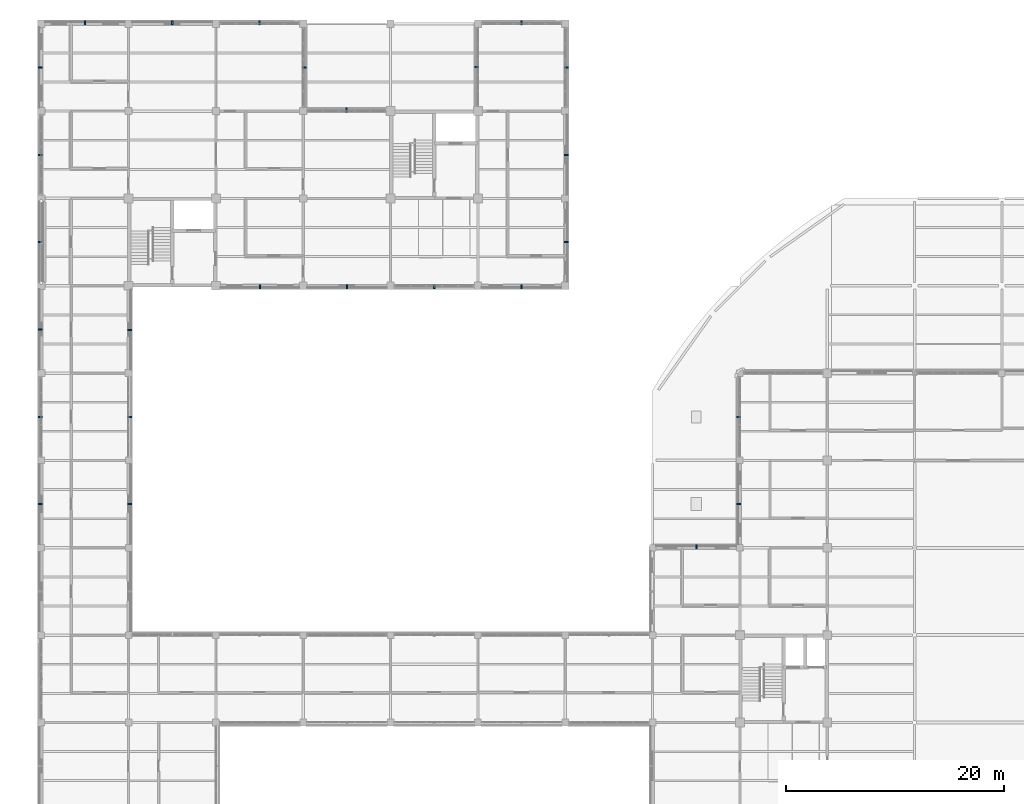
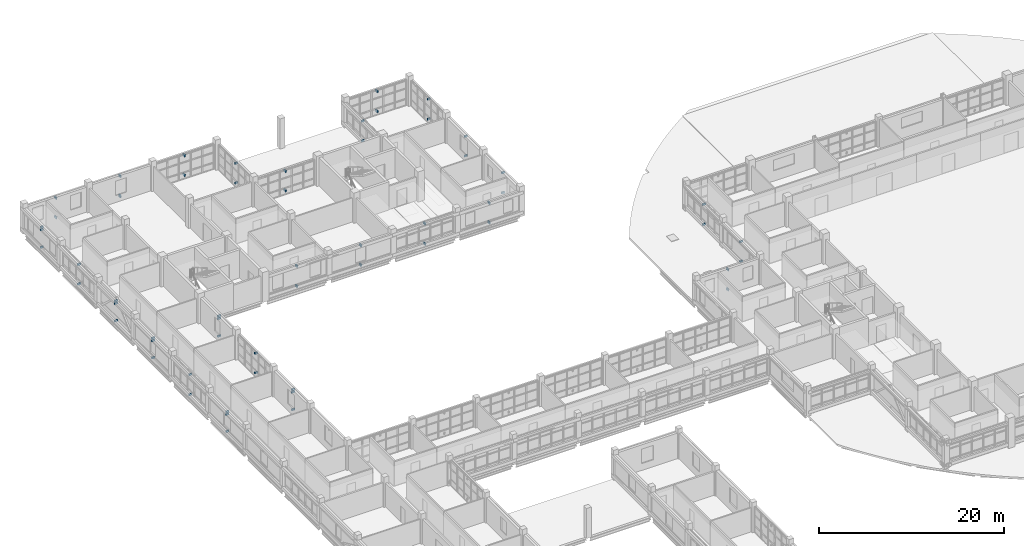
# One storey, part 109 of 126: 58 discrete accessories.
"""IFC4 building model written with IfcOpenShell, lengths in metres."""

import ifcopenshell
import ifcopenshell.guid

model = None  # the IFC model being written
_history = None  # IfcOwnerHistory: only IFC2X3 demands one
_inside = {}  # id of a spatial element -> (the spatial element, [elements in it])
_under = {}  # id of a project, library or spatial element -> (it, [spatial elements below it])
_declared = {}  # id of a project -> (the project, [libraries it declares])
_typed = {}  # id of a type object -> (the type object, [elements of that type])
_made_of = {}  # id of a material, layer set ... -> (it, [elements and type objects made of it])


def new_model(schema):
    """Start an empty IFC model of exactly this schema.

    Asked for "IFC4X3", IfcOpenShell would pick the latest addendum, in which some entities
    have other attributes; the version numbers below select the first issue.
    IFC2X3 requires an IfcOwnerHistory on every rooted entity: one is made here for all.
    """
    global model, _history
    if schema == "IFC4X3":
        model = ifcopenshell.file(schema_version=(4, 3, 0, 0))
    else:
        model = ifcopenshell.file(schema=schema)
    _inside.clear()
    _under.clear()
    _declared.clear()
    _typed.clear()
    _made_of.clear()
    _history = None
    if model.schema == "IFC2X3":
        org = make("IfcOrganization", Name="unknown")
        user = make(
            "IfcPersonAndOrganization",
            ThePerson=make("IfcPerson", FamilyName="unknown"),
            TheOrganization=org,
        )
        app = make(
            "IfcApplication",
            ApplicationDeveloper=org,
            Version="unknown",
            ApplicationFullName="unknown",
            ApplicationIdentifier="unknown",
        )
        _history = make(
            "IfcOwnerHistory",
            OwningUser=user,
            OwningApplication=app,
            ChangeAction="ADDED",
            CreationDate=0,
        )
    return model


def make(cls, **values):
    """One entity of the class cls with the attributes given. An attribute that is None is left unset."""
    return model.create_entity(
        cls, **{name: value for name, value in values.items() if value is not None}
    )


def rooted(cls, **values):
    """An entity with a GlobalId (a new one), such as an element, a storey or a relation."""
    return make(cls, GlobalId=ifcopenshell.guid.new(), OwnerHistory=_history, **values)


def si_unit(unit_type, name, prefix=None):
    """IfcSIUnit, for example si_unit("LENGTHUNIT", "METRE", prefix="MILLI")."""
    return make("IfcSIUnit", UnitType=unit_type, Prefix=prefix, Name=name)


def derived_unit(unit_type, elements):
    """IfcDerivedUnit: a product of units, each with its exponent."""
    return make(
        "IfcDerivedUnit",
        Elements=[
            make("IfcDerivedUnitElement", Unit=unit, Exponent=power)
            for unit, power in elements
        ],
        UnitType=unit_type,
    )


def assignment(units):
    """IfcUnitAssignment: the units of a project."""
    return None if units is None else make("IfcUnitAssignment", Units=units)


def point(xyz):
    """IfcCartesianPoint."""
    return None if xyz is None else make("IfcCartesianPoint", Coordinates=xyz)


def direction(xyz):
    """IfcDirection."""
    return None if xyz is None else make("IfcDirection", DirectionRatios=xyz)


def frame(location, z_axis=None, x_axis=None):
    """IfcAxis2Placement3D, a coordinate frame: its origin and axes. An axis left out is left unset."""
    return make(
        "IfcAxis2Placement3D",
        Location=point(location),
        Axis=direction(z_axis),
        RefDirection=direction(x_axis),
    )


def frame_2d(location, x_axis=None):
    """IfcAxis2Placement2D, a coordinate frame in the plane: its origin and x axis."""
    return make(
        "IfcAxis2Placement2D", Location=point(location), RefDirection=direction(x_axis)
    )


def origin():
    """The frame at (0, 0, 0) with its axes left unset."""
    return frame((0.0, 0.0, 0.0))


def origin_2d():
    """The frame at (0, 0) in the plane with its x axis left unset."""
    return frame_2d((0.0, 0.0))


def place(relative_to, where):
    """IfcLocalPlacement: puts the frame where relative to a parent placement (None: the world)."""
    return make(
        "IfcLocalPlacement", PlacementRelTo=relative_to, RelativePlacement=where
    )


def context(
    kind, dimensions, precision=None, world=None, true_north=None, identifier=None
):
    """IfcGeometricRepresentationContext, for example the 3D "Model" context."""
    return make(
        "IfcGeometricRepresentationContext",
        ContextIdentifier=identifier,
        ContextType=kind,
        CoordinateSpaceDimension=dimensions,
        Precision=precision,
        WorldCoordinateSystem=world,
        TrueNorth=true_north,
    )


def subcontext(parent, identifier, kind, view, scale=None):
    """IfcGeometricRepresentationSubContext, for example "Body" below "Model"."""
    return make(
        "IfcGeometricRepresentationSubContext",
        ContextIdentifier=identifier,
        ContextType=kind,
        ParentContext=parent,
        TargetScale=scale,
        TargetView=view,
    )


def project(units=None, contexts=None):
    """IfcProject with its units and contexts."""
    return rooted(
        "IfcProject",
        Name="project",
        RepresentationContexts=contexts,
        UnitsInContext=assignment(units),
    )


def spatial(cls, under=None, at=None, **own):
    """A site, building, storey or space (cls), placed at a placement, below another one or the project."""
    s = rooted(cls, ObjectPlacement=at, **own)
    if under is not None:
        _under.setdefault(under.id(), (under, []))[1].append(s)
    return s


def profile(cls, at=None, kind="AREA", **sizes):
    """A parametric profile (cls). Its sizes go by their IFC names, for example OverallWidth=200.0."""
    return make(cls, ProfileType=kind, Position=at, **sizes)


def rectangle(**sizes):
    """IfcRectangleProfileDef."""
    return profile("IfcRectangleProfileDef", **sizes)


def extrude(swept, where, along, depth):
    """IfcExtrudedAreaSolid: the profile swept, set in the frame where, extruded along a direction by depth."""
    return make(
        "IfcExtrudedAreaSolid",
        SweptArea=swept,
        Position=where,
        ExtrudedDirection=direction(along),
        Depth=depth,
    )


def shape(context_of_items, identifier, shape_type, items):
    """IfcShapeRepresentation: the items that make up one representation, for example the "Body"."""
    return make(
        "IfcShapeRepresentation",
        ContextOfItems=context_of_items,
        RepresentationIdentifier=identifier,
        RepresentationType=shape_type,
        Items=items,
    )


def material(Name=None, Category=None):
    """IfcMaterial."""
    return make("IfcMaterial", Name=Name, Category=Category)


def made_of(thing, what):
    """Note that an element or type object is made of a material, layer set ...; save() writes the relation."""
    if what is not None:
        _made_of.setdefault(what.id(), (what, []))[1].append(thing)
    return thing


def type_object(cls, material=None, **own):
    """A type object (cls), such as IfcWallType, which elements share."""
    return made_of(rooted(cls, **own), material)


def element(
    cls,
    number,
    at=None,
    inside=None,
    cuts=None,
    type_object=None,
    material=None,
    context=None,
    identifier="Body",
    shape_type=None,
    held_by="IfcProductDefinitionShape",
    body=None,
    shapes=None,
    **own,
):
    """One element of the class cls, such as IfcWall. Its Tag is "e" and its number.

    at: its placement. inside: the storey or other place that contains it. cuts: it is an
    opening in that element (IfcRelVoidsElement). A single representation is given by context,
    identifier, shape_type and body (its items); several are given by shapes. held_by: the class
    of the entity that holds the representations. save() writes the other relations.
    """
    e = rooted(cls, Tag="e%d" % number, ObjectPlacement=at, **own)
    if body is not None:
        shapes = [shape(context, identifier, shape_type, body)]
    if shapes is not None:
        e.Representation = make(held_by, Representations=shapes)
    if inside is not None:
        _inside.setdefault(inside.id(), (inside, []))[1].append(e)
    if cuts is not None:
        rooted(
            "IfcRelVoidsElement", RelatingBuildingElement=cuts, RelatedOpeningElement=e
        )
    if type_object is not None:
        _typed.setdefault(type_object.id(), (type_object, []))[1].append(e)
    return made_of(e, material)


def aggregate(whole, parts):
    """IfcRelAggregates: a whole, such as a stair, and the parts it consists of."""
    return rooted("IfcRelAggregates", RelatingObject=whole, RelatedObjects=parts)


def save(model, path):
    """Write the relations noted so far, then the file.

    IfcRelAggregates (storeys below a building ...), IfcRelContainedInSpatialStructure (elements
    in a storey), IfcRelDefinesByType, IfcRelAssociatesMaterial and IfcRelDeclares: one each for
    every whole, place, type object, material and project.
    """
    for whole, parts in _under.values():
        aggregate(whole, parts)
    for where, things in _inside.values():
        rooted(
            "IfcRelContainedInSpatialStructure",
            RelatedElements=things,
            RelatingStructure=where,
        )
    for kind, things in _typed.values():
        rooted("IfcRelDefinesByType", RelatedObjects=things, RelatingType=kind)
    for what, things in _made_of.values():
        rooted("IfcRelAssociatesMaterial", RelatedObjects=things, RelatingMaterial=what)
    for by, libraries in _declared.values():
        rooted("IfcRelDeclares", RelatingContext=by, RelatedDefinitions=libraries)
    model.write(path)


model = new_model("IFC4")

# Units and contexts
model_context = context("Model", 3, precision=1e-05, world=origin(), true_north=direction((0.0, 1.0)))
body_context = subcontext(model_context, "Body", "Model", "MODEL_VIEW")
ifc_project = project(units=[si_unit("LENGTHUNIT", "METRE"), si_unit("AREAUNIT", "SQUARE_METRE"), si_unit("VOLUMEUNIT", "CUBIC_METRE"), si_unit("PLANEANGLEUNIT", "RADIAN"), si_unit("MASSUNIT", "GRAM", prefix="KILO"), derived_unit("THERMALTRANSMITTANCEUNIT", [(si_unit("MASSUNIT", "GRAM", prefix="KILO"), 1), (si_unit("TIMEUNIT", "SECOND"), -3), (si_unit("THERMODYNAMICTEMPERATUREUNIT", "KELVIN"), -1)])], contexts=[model_context])

# Site, building, storey
site_placement = place(None, origin())
site = spatial("IfcSite", under=ifc_project, at=site_placement, CompositionType="ELEMENT")
building_placement = place(site_placement, origin())
building = spatial("IfcBuilding", under=site, at=building_placement, Name="Veyamyaing Civic Hall", CompositionType="ELEMENT")
storey_placement = place(building_placement, frame((0.0, 0.0, 9.89990234375)))
storey = spatial("IfcBuildingStorey", under=building, at=storey_placement, Name="L02", CompositionType="ELEMENT", Elevation=9.89990234375)

# Discrete accessories
ifc_material = material(Name="Steel S355J2", Category="steel")
discrete_accessory_type = type_object("IfcDiscreteAccessoryType", Name="BK-01", PredefinedType="BRACKET", material=ifc_material)
for number, where, z_axis, x_axis, name in (
    (1, (-0.10009765625, 68.0, 2.9443359375), (0.0, 0.0, 1.0), (-1.0, 0.0, 0.0), "Sunshade anchor bracket BK-01 L02 W 1.9"),
    (2, (-0.10009765625, 68.0, 0.35986328125), (0.0, 0.0, 1.0), (-1.0, 0.0, 0.0), "Lower ribbon anchor bracket BK-01 L02 W 1.9"),
    (3, (-0.10009765625, 68.0, 2.6142578125), (0.0, 0.0, 1.0), (-1.0, 0.0, 0.0), "Louvre anchor bracket BK-01 L02 W 1.9"),
    (4, (8.10009765625, 68.0, 3.00732421875), (0.0, 0.0, 1.0), (1.0, 0.0, 0.0), "Sunshade anchor bracket BK-01 L02 E 1.9"),
    (5, (8.10009765625, 68.0, 0.35986328125), (0.0, 0.0, 1.0), (1.0, 0.0, 0.0), "Lower ribbon anchor bracket BK-01 L02 E 1.9"),
    (6, (8.10009765625, 68.0, 2.67724609375), (0.0, 0.0, 1.0), (1.0, 0.0, 0.0), "Louvre anchor bracket BK-01 L02 E 1.9"),
    (7, (-0.10009765625, 75.987548828125, 3.00732421875), (0.0, 0.0, 1.0), (-1.0, 0.0, 0.0), "Sunshade anchor bracket BK-01 L02 W 1.10"),
    (8, (-0.10009765625, 75.987548828125, 0.35986328125), (0.0, 0.0, 1.0), (-1.0, 0.0, 0.0), "Lower ribbon anchor bracket BK-01 L02 W 1.10"),
    (9, (8.10009765625, 75.987548828125, 2.93994140625), (0.0, 0.0, 1.0), (1.0, 0.0, 0.0), "Sunshade anchor bracket BK-01 L02 E 1.10"),
    (10, (8.10009765625, 75.987548828125, 0.35986328125), (0.0, 0.0, 1.0), (1.0, 0.0, 0.0), "Lower ribbon anchor bracket BK-01 L02 E 1.10"),
    (11, (-0.10009765625, 84.0, 2.93994140625), (0.0, 0.0, 1.0), (-1.0, 0.0, 0.0), "Sunshade anchor bracket BK-01 L02 W 1.11"),
    (12, (-0.10009765625, 84.0, 0.35986328125), (0.0, 0.0, 1.0), (-1.0, 0.0, 0.0), "Lower ribbon anchor bracket BK-01 L02 W 1.11"),
    (13, (-0.10009765625, 84.0, 2.60986328125), (0.0, 0.0, 1.0), (-1.0, 0.0, 0.0), "Louvre anchor bracket BK-01 L02 W 1.11"),
    (14, (8.10009765625, 83.96240234375, 3.00390625), (0.0, 0.0, 1.0), (1.0, 0.0, 0.0), "Sunshade anchor bracket BK-01 L02 E 1.11"),
    (15, (8.10009765625, 83.96240234375, 0.35986328125), (0.0, 0.0, 1.0), (1.0, 0.0, 0.0), "Lower ribbon anchor bracket BK-01 L02 E 1.11"),
    (16, (8.10009765625, 83.96240234375, 2.67431640625), (0.0, 0.0, 1.0), (1.0, 0.0, 0.0), "Louvre anchor bracket BK-01 L02 E 1.11"),
    (17, (-0.10009765625, 92.0, 3.00390625), (0.0, 0.0, 1.0), (-1.0, 0.0, 0.0), "Sunshade anchor bracket BK-01 L02 W 1.12"),
    (18, (-0.10009765625, 92.0, 0.35986328125), (0.0, 0.0, 1.0), (-1.0, 0.0, 0.0), "Lower ribbon anchor bracket BK-01 L02 W 1.12"),
    (19, (-0.10009765625, 92.0, 2.67431640625), (0.0, 0.0, 1.0), (-1.0, 0.0, 0.0), "Louvre anchor bracket BK-01 L02 W 1.12"),
    (20, (-0.10009765625, 100.0, 2.9443359375), (0.0, 0.0, 1.0), (-1.0, 0.0, 0.0), "Sunshade anchor bracket BK-01 L02 W 1.13"),
    (21, (-0.10009765625, 100.0, 0.35986328125), (0.0, 0.0, 1.0), (-1.0, 0.0, 0.0), "Lower ribbon anchor bracket BK-01 L02 W 1.13"),
    (22, (4.0, 112.10009765625, 2.93994140625), (0.0, 0.0, 1.0), (0.0, 1.0, 0.0), "Sunshade anchor bracket BK-01 L02 N 1.14"),
    (23, (4.0, 112.10009765625, 0.35986328125), (0.0, 0.0, 1.0), (0.0, 1.0, 0.0), "Lower ribbon anchor bracket BK-01 L02 N 1.14"),
    (24, (-0.10009765625, 108.0, 3.00732421875), (0.0, 0.0, 1.0), (-1.0, 0.0, 0.0), "Sunshade anchor bracket BK-01 L02 W 1.14"),
    (25, (-0.10009765625, 108.0, 0.35986328125), (0.0, 0.0, 1.0), (-1.0, 0.0, 0.0), "Lower ribbon anchor bracket BK-01 L02 W 1.14"),
    (26, (-0.10009765625, 108.0, 2.67724609375), (0.0, 0.0, 1.0), (-1.0, 0.0, 0.0), "Louvre anchor bracket BK-01 L02 W 1.14"),
    (27, (12.0, 112.10009765625, 3.00390625), (0.0, 0.0, 1.0), (0.0, 1.0, 0.0), "Sunshade anchor bracket BK-01 L02 N 2.14"),
    (28, (12.0, 112.10009765625, 0.35986328125), (0.0, 0.0, 1.0), (0.0, 1.0, 0.0), "Lower ribbon anchor bracket BK-01 L02 N 2.14"),
    (29, (20.03759765625, 87.89990234375, 3.00732421875), (0.0, 0.0, 1.0), (0.0, -1.0, 0.0), "Sunshade anchor bracket BK-01 L02 S 3.12"),
    (30, (20.03759765625, 87.89990234375, 0.35986328125), (0.0, 0.0, 1.0), (0.0, -1.0, 0.0), "Lower ribbon anchor bracket BK-01 L02 S 3.12"),
    (31, (20.0, 112.10009765625, 2.9443359375), (0.0, 0.0, 1.0), (0.0, 1.0, 0.0), "Sunshade anchor bracket BK-01 L02 N 3.14"),
    (32, (20.0, 112.10009765625, 0.35986328125), (0.0, 0.0, 1.0), (0.0, 1.0, 0.0), "Lower ribbon anchor bracket BK-01 L02 N 3.14"),
    (33, (24.10009765625, 108.0, 2.9443359375), (0.0, 0.0, 1.0), (1.0, 0.0, 0.0), "Sunshade anchor bracket BK-01 L02 E 3.14"),
    (34, (24.10009765625, 108.0, 0.35986328125), (0.0, 0.0, 1.0), (1.0, 0.0, 0.0), "Lower ribbon anchor bracket BK-01 L02 E 3.14"),
    (35, (28.0, 87.89990234375, 2.93994140625), (0.0, 0.0, 1.0), (0.0, -1.0, 0.0), "Sunshade anchor bracket BK-01 L02 S 4.12"),
    (36, (28.0, 87.89990234375, 0.35986328125), (0.0, 0.0, 1.0), (0.0, -1.0, 0.0), "Lower ribbon anchor bracket BK-01 L02 S 4.12"),
    (37, (27.96240234375, 104.10009765625, 2.9443359375), (0.0, 0.0, 1.0), (0.0, 1.0, 0.0), "Sunshade anchor bracket BK-01 L02 N 4.13"),
    (38, (27.96240234375, 104.10009765625, 0.35986328125), (0.0, 0.0, 1.0), (0.0, 1.0, 0.0), "Lower ribbon anchor bracket BK-01 L02 N 4.13"),
    (39, (36.0, 87.89990234375, 3.00390625), (0.0, 0.0, 1.0), (0.0, -1.0, 0.0), "Sunshade anchor bracket BK-01 L02 S 5.12"),
    (40, (36.0, 87.89990234375, 0.35986328125), (0.0, 0.0, 1.0), (0.0, -1.0, 0.0), "Lower ribbon anchor bracket BK-01 L02 S 5.12"),
    (41, (44.0, 87.89990234375, 2.9443359375), (0.0, 0.0, 1.0), (0.0, -1.0, 0.0), "Sunshade anchor bracket BK-01 L02 S 6.12"),
    (42, (44.0, 87.89990234375, 0.35986328125), (0.0, 0.0, 1.0), (0.0, -1.0, 0.0), "Lower ribbon anchor bracket BK-01 L02 S 6.12"),
    (43, (48.10009765625, 92.0, 3.00732421875), (0.0, 0.0, 1.0), (1.0, 0.0, 0.0), "Sunshade anchor bracket BK-01 L02 E 6.12"),
    (44, (48.10009765625, 92.0, 0.35986328125), (0.0, 0.0, 1.0), (1.0, 0.0, 0.0), "Lower ribbon anchor bracket BK-01 L02 E 6.12"),
    (45, (48.10009765625, 100.0, 2.93994140625), (0.0, 0.0, 1.0), (1.0, 0.0, 0.0), "Sunshade anchor bracket BK-01 L02 E 6.13"),
    (46, (48.10009765625, 100.0, 0.35986328125), (0.0, 0.0, 1.0), (1.0, 0.0, 0.0), "Lower ribbon anchor bracket BK-01 L02 E 6.13"),
    (47, (44.0, 112.10009765625, 3.00390625), (0.0, 0.0, 1.0), (0.0, 1.0, 0.0), "Sunshade anchor bracket BK-01 L02 N 6.14"),
    (48, (44.0, 112.10009765625, 0.35986328125), (0.0, 0.0, 1.0), (0.0, 1.0, 0.0), "Lower ribbon anchor bracket BK-01 L02 N 6.14"),
    (49, (39.89990234375, 108.03759765625, 2.93994140625), (0.0, 0.0, 1.0), (-1.0, 0.0, 0.0), "Sunshade anchor bracket BK-01 L02 W 6.14"),
    (50, (39.89990234375, 108.03759765625, 0.35986328125), (0.0, 0.0, 1.0), (-1.0, 0.0, 0.0), "Lower ribbon anchor bracket BK-01 L02 W 6.14"),
    (51, (48.10009765625, 108.0, 3.00390625), (0.0, 0.0, 1.0), (1.0, 0.0, 0.0), "Sunshade anchor bracket BK-01 L02 E 6.14"),
    (52, (48.10009765625, 108.0, 0.35986328125), (0.0, 0.0, 1.0), (1.0, 0.0, 0.0), "Lower ribbon anchor bracket BK-01 L02 E 6.14"),
    (53, (60.0, 64.10009765625, 3.00390625), (0.0, 0.0, 1.0), (0.0, 1.0, 0.0), "Sunshade anchor bracket BK-01 L02 N 8.8"),
    (54, (60.0, 64.10009765625, 0.35986328125), (0.0, 0.0, 1.0), (0.0, 1.0, 0.0), "Lower ribbon anchor bracket BK-01 L02 N 8.8"),
    (55, (63.89990234375, 68.0, 2.9443359375), (0.0, 0.0, 1.0), (-1.0, 0.0, 0.0), "Sunshade anchor bracket BK-01 L02 W 9.9"),
    (56, (63.89990234375, 68.0, 0.35986328125), (0.0, 0.0, 1.0), (-1.0, 0.0, 0.0), "Lower ribbon anchor bracket BK-01 L02 W 9.9"),
    (57, (63.89990234375, 76.0, 3.00732421875), (0.0, 0.0, 1.0), (-1.0, 0.0, 0.0), "Sunshade anchor bracket BK-01 L02 W 9.10"),
    (58, (63.89990234375, 76.0, 0.35986328125), (0.0, 0.0, 1.0), (-1.0, 0.0, 0.0), "Lower ribbon anchor bracket BK-01 L02 W 9.10"),
):
    element("IfcDiscreteAccessory", number, at=place(storey_placement, frame(where, z_axis=z_axis, x_axis=x_axis)), inside=storey, type_object=discrete_accessory_type, Name=name, PredefinedType="BRACKET", context=body_context, shape_type="SweptSolid", body=[
        extrude(rectangle(XDim=0.3798828125, YDim=0.139892578125, at=origin_2d()), origin(), (0.0, 0.0, 1.0), 0.239990234375),
    ])

save(model, "model.ifc")
